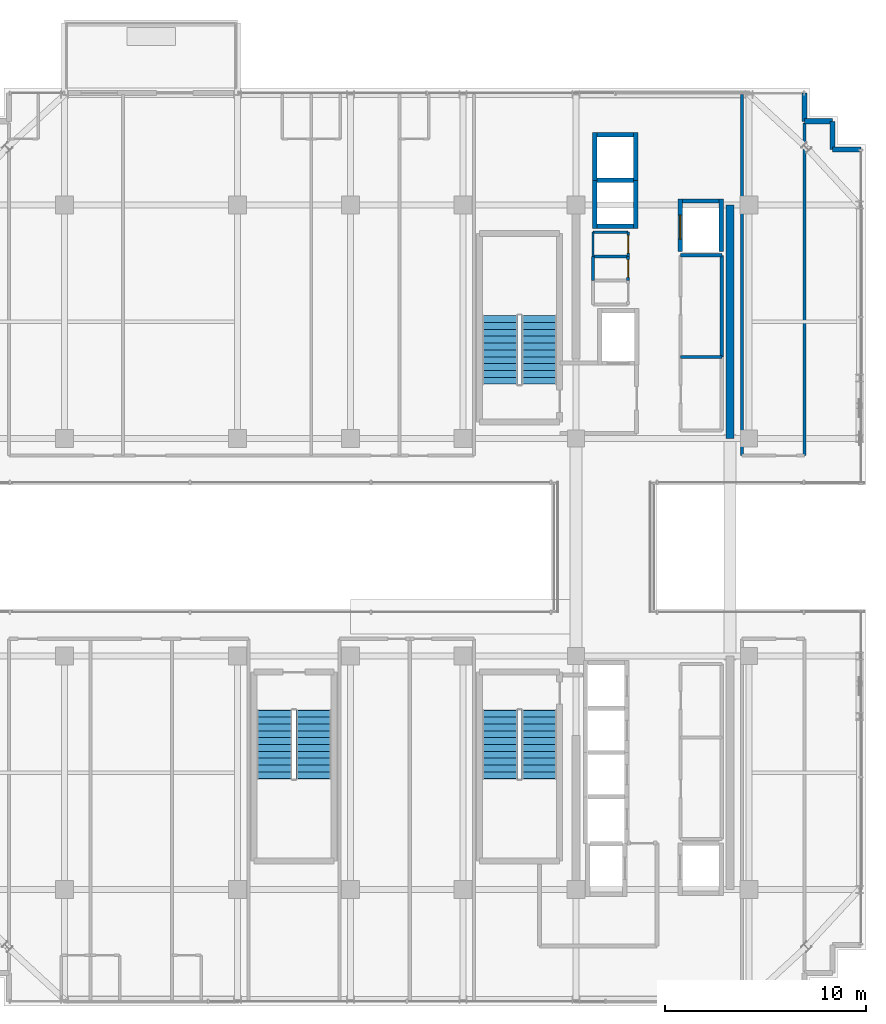
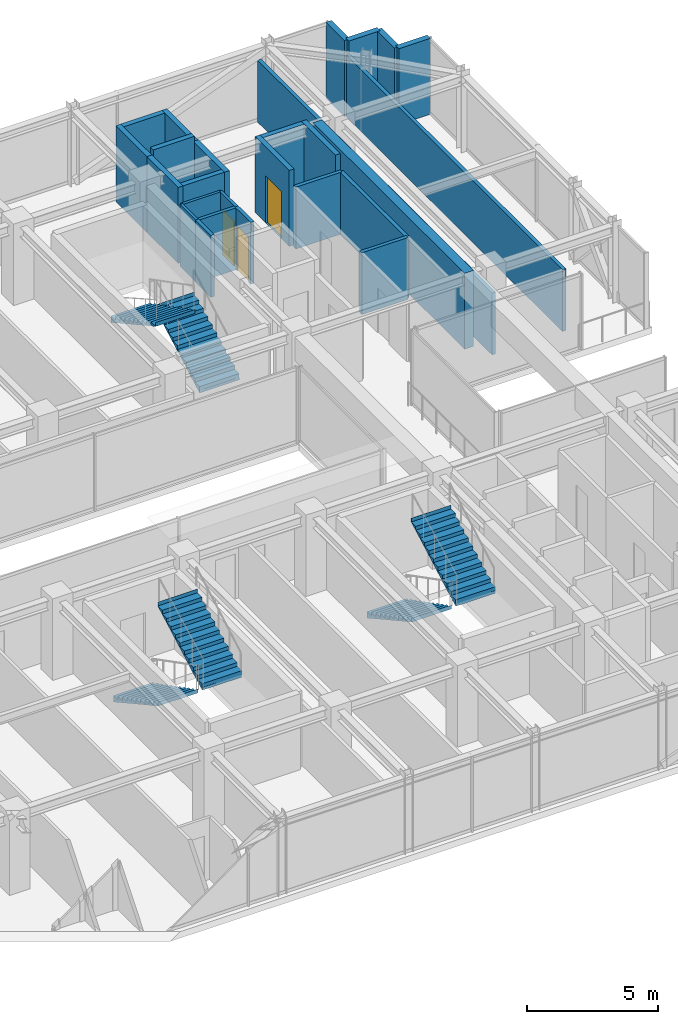
# One storey, part 37 of 41: 26 walls, 6 stair flights, 3 doors, 3 openings, 3 elements without a shape of their own.
"""IFC4 building model written with IfcOpenShell, lengths in metres."""

from ifc_helpers import new_model, si_unit, direction, frame, frame_2d, origin, place, context, subcontext, project, spatial, polyline, rectangle, outline, extrude, source, transform, mapped, material, layer, layer_set, type_object, element, fill, aggregate, save


model = new_model("IFC4")

# Units and contexts
model_context = context("Model", 3, precision=1e-05, world=origin(), true_north=direction((0.0, 1.0)))
body_context = subcontext(model_context, "Body", "Model", "MODEL_VIEW")
ifc_project = project(units=[si_unit("LENGTHUNIT", "METRE"), si_unit("AREAUNIT", "SQUARE_METRE"), si_unit("VOLUMEUNIT", "CUBIC_METRE"), si_unit("PLANEANGLEUNIT", "RADIAN"), si_unit("MASSUNIT", "GRAM", prefix="KILO")], contexts=[model_context])

# Site, building, storey
site_placement = place(None, origin())
site = spatial("IfcSite", under=ifc_project, at=site_placement, CompositionType="ELEMENT")
building_placement = place(site_placement, origin())
building = spatial("IfcBuilding", under=site, at=building_placement, Name="Nahalor Promenade Grand Hotel", CompositionType="ELEMENT")
storey_placement = place(building_placement, frame((0.0, 0.0, 304.199951171875)))
storey = spatial("IfcBuildingStorey", under=building, at=storey_placement, Name="L78", CompositionType="ELEMENT", Elevation=304.199951171875)

# Walls
ifc_material_1 = material(Name="Concrete B-50 (C40/50)", Category="concrete")
ifc_layer_1 = layer(ifc_material_1, 0.39990234375)
ifc_layer_set_1 = layer_set([ifc_layer_1], Name="Concrete B-50 (C40/50)")
wall_type_1 = type_object("IfcWallType", Name="Wall-CoreShear-400", PredefinedType="SHEAR", material=ifc_layer_set_1)
shared_shape_1 = source(origin(), body_context, "Body", "SweptSolid", [
    extrude(rectangle(XDim=11.60009765625, YDim=0.39990234375, at=frame_2d((5.800048828125, 0.0))), origin(), (0.0, 0.0, 1.0), 3.550048828125),
])
wall_1_placement = place(storey_placement, frame((16.050048828125, 5.39990234375, 0.0), z_axis=(0.0, 0.0, 1.0), x_axis=(0.0, 1.0, 0.0)))
element("IfcWall", 1, at=wall_1_placement, inside=storey, type_object=wall_type_1, Name="CWALL-L78-NE", PredefinedType="SHEAR", context=body_context, shape_type="MappedRepresentation", body=[
    mapped(shared_shape_1, transform((0.0, 0.0, 0.0), scale=1.0)),
])
ifc_layer_2 = layer(ifc_material_1, 0.219970703125)
ifc_layer_set_2 = layer_set([ifc_layer_2], Name="Concrete B-50 (C40/50)")
wall_type_2 = type_object("IfcWallType", Name="Wall-LiftShaft-220", PredefinedType="SHEAR", material=ifc_layer_set_2)
shared_shape_2 = source(origin(), body_context, "Body", "SweptSolid", [
    extrude(rectangle(XDim=1.820068359375, YDim=0.219970703125, at=frame_2d((0.91015625, 0.0))), origin(), (0.0, 0.0, 1.0), 3.550048828125),
])
for number, where, z_axis, x_axis, name in (
    (2, (9.43994140625, 15.949951171875, 0.0), (0.0, 0.0, 1.0), (1.0, 0.0, 0.0), "L78 Lift OB1 Hoistway Wall S"),
    (3, (9.43994140625, 20.5, 0.0), (0.0, 0.0, 1.0), (1.0, 0.0, 0.0), "L78 Lift OB2 Hoistway Wall N"),
    (4, (13.68994140625, 17.199951171875, 0.0), (0.0, 0.0, 1.0), (1.0, 0.0, 0.0), "L78 Lift SV1 Hoistway Wall N"),
):
    element("IfcWall", number, at=place(storey_placement, frame(where, z_axis=z_axis, x_axis=x_axis)), inside=storey, type_object=wall_type_2, Name=name, PredefinedType="SHEAR", context=body_context, shape_type="MappedRepresentation", body=[
        mapped(shared_shape_2, transform((0.0, 0.0, 0.0), scale=1.0)),
    ])
shared_shape_3 = source(origin(), body_context, "Body", "SweptSolid", [
    extrude(rectangle(XDim=1.820068359375, YDim=0.219970703125, at=frame_2d((0.91015625, 0.0))), origin(), (0.0, 0.0, 1.0), 3.85009765625),
])
wall_2_placement = place(storey_placement, frame((9.43994140625, 18.22509765625, 0.0), z_axis=(0.0, 0.0, 1.0), x_axis=(1.0, 0.0, 0.0)))
element("IfcWall", 5, at=wall_2_placement, inside=storey, type_object=wall_type_2, Name="L78 Lift OB1 Hoistway Wall N", PredefinedType="SHEAR", context=body_context, shape_type="MappedRepresentation", body=[
    mapped(shared_shape_3, transform((0.0, 0.0, 0.0), scale=1.0)),
])
shared_shape_4 = source(origin(), body_context, "Body", "SweptSolid", [
    extrude(rectangle(XDim=2.385009765625, YDim=0.219970703125, at=frame_2d((1.1923828125, 0.0))), origin(), (0.0, 0.0, 1.0), 3.550048828125),
])
for number, where, z_axis, x_axis, name in (
    (6, (9.330078125, 15.840087890625, 0.0), (0.0, 0.0, 1.0), (0.0, 1.0, 0.0), "L78 Lift OB1 Hoistway Wall W"),
    (7, (11.3701171875, 15.840087890625, 0.0), (0.0, 0.0, 1.0), (0.0, 1.0, 0.0), "L78 Lift OB1 Hoistway Wall E"),
    (8, (9.330078125, 18.22509765625, 0.0), (0.0, 0.0, 1.0), (0.0, 1.0, 0.0), "L78 Lift OB2 Hoistway Wall W"),
    (9, (11.3701171875, 18.22509765625, 0.0), (0.0, 0.0, 1.0), (0.0, 1.0, 0.0), "L78 Lift OB2 Hoistway Wall E"),
):
    element("IfcWall", number, at=place(storey_placement, frame(where, z_axis=z_axis, x_axis=x_axis)), inside=storey, type_object=wall_type_2, Name=name, PredefinedType="SHEAR", context=body_context, shape_type="MappedRepresentation", body=[
        mapped(shared_shape_4, transform((0.0, 0.0, 0.0), scale=1.0)),
    ])

# Wall, opening, door
shared_shape_5 = source(origin(), body_context, "Body", "SweptSolid", [
    extrude(rectangle(XDim=2.610107421875, YDim=0.219970703125, at=frame_2d((1.30517578125, 0.0))), origin(), (0.0, 0.0, 1.0), 3.550048828125),
])
wall_3_placement = place(storey_placement, frame((13.580078125, 14.699951171875, 0.0), z_axis=(0.0, 0.0, 1.0), x_axis=(0.0, 1.0, 0.0)))
wall_3 = element("IfcWall", 10, at=wall_3_placement, inside=storey, type_object=wall_type_2, Name="L78 Lift SV1 Hoistway Wall W", PredefinedType="SHEAR", context=body_context, shape_type="MappedRepresentation", body=[
    mapped(shared_shape_5, transform((0.0, 0.0, 0.0), scale=1.0)),
])
opening_1_placement = place(wall_3_placement, frame((0.60009765625, 0.0, 0.0)))
opening_1 = element("IfcOpeningElement", 11, at=opening_1_placement, cuts=wall_3, Name="Opening LD-03", PredefinedType="OPENING", context=body_context, shape_type="SweptSolid", body=[
    extrude(rectangle(XDim=1.199951171875, YDim=2.199951171875, at=frame_2d((0.60009765625, 1.10009765625))), frame((0.0, 0.119873046875, 0.0), z_axis=(0.0, -1.0, 0.0), x_axis=(1.0, 0.0, 0.0)), (0.0, 0.0, 1.0), 0.239990234375),
])
ifc_material_2 = material(Name="Steel S355JR", Category="steel")
door_type_1 = type_object("IfcDoorType", Name="Door-LiftService-1200", OperationType="DOUBLE_DOOR_SLIDING", PredefinedType="DOOR", material=ifc_material_2)
shared_shape_6 = source(origin(), body_context, "Body", "SweptSolid", [
    extrude(rectangle(XDim=1.199951171875, YDim=2.199951171875, at=frame_2d((0.60009765625, 1.10009765625))), frame((0.0, 0.02490234375, 0.0), z_axis=(0.0, -1.0, 0.0), x_axis=(1.0, 0.0, 0.0)), (0.0, 0.0, 1.0), 0.050048828125),
])
door_1_placement = place(opening_1_placement, origin())
door_1 = element("IfcDoor", 12, at=door_1_placement, inside=storey, type_object=door_type_1, Name="DR-LIFT-SV1-L78", OperationType="DOUBLE_DOOR_SLIDING", OverallHeight=2.199951171875, OverallWidth=1.199951171875, PredefinedType="DOOR", context=body_context, shape_type="MappedRepresentation", body=[
    mapped(shared_shape_6, transform((0.0, 0.0, 0.0), scale=1.0)),
])
fill(opening_1, door_1)

# Walls
wall_4_placement = place(storey_placement, frame((15.6201171875, 14.699951171875, 0.0), z_axis=(0.0, 0.0, 1.0), x_axis=(0.0, 1.0, 0.0)))
element("IfcWall", 13, at=wall_4_placement, inside=storey, type_object=wall_type_2, Name="L78 Lift SV1 Hoistway Wall E", PredefinedType="SHEAR", context=body_context, shape_type="MappedRepresentation", body=[
    mapped(shared_shape_5, transform((0.0, 0.0, 0.0), scale=1.0)),
])
ifc_material_3 = material(Name="Concrete B-40 (C32/40)", Category="concrete")
ifc_layer_3 = layer(ifc_material_3, 0.25)
ifc_layer_set_3 = layer_set([ifc_layer_3], Name="Concrete B-40 (C32/40)")
wall_type_3 = type_object("IfcWallType", Name="Wall-BronzePier-250", PredefinedType="STANDARD", material=ifc_layer_set_3)
shared_shape_7 = source(origin(), body_context, "Body", "SweptSolid", [
    extrude(rectangle(XDim=1.400146484375, YDim=0.25, at=frame_2d((0.7001953125, 0.0))), origin(), (0.0, 0.0, 1.0), 3.550048828125),
])
for number, where, z_axis, x_axis, name in (
    (14, (21.159912109375, 19.760009765625, 0.0), (0.0, 0.0, 1.0), (1.0, 0.0, 0.0), "W-L78-SR-05"),
    (15, (19.760009765625, 21.159912109375, 0.0), (0.0, 0.0, 1.0), (0.0, 1.0, 0.0), "W-L78-SR-08"),
):
    element("IfcWall", number, at=place(storey_placement, frame(where, z_axis=z_axis, x_axis=x_axis)), inside=storey, type_object=wall_type_3, Name=name, PredefinedType="STANDARD", context=body_context, shape_type="MappedRepresentation", body=[
        mapped(shared_shape_7, transform((0.0, 0.0, 0.0), scale=1.0)),
    ])
shared_shape_8 = source(origin(), body_context, "Body", "SweptSolid", [
    extrude(rectangle(XDim=1.39990234375, YDim=0.25, at=frame_2d((0.699951171875, 0.0))), origin(), (0.0, 0.0, 1.0), 3.550048828125),
])
for number, where, z_axis, x_axis, name in (
    (16, (21.159912109375, 19.760009765625, 0.0), (0.0, 0.0, 1.0), (0.0, 1.0, 0.0), "W-L78-SR-06"),
    (17, (19.760009765625, 21.159912109375, 0.0), (0.0, 0.0, 1.0), (1.0, 0.0, 0.0), "W-L78-SR-07"),
):
    element("IfcWall", number, at=place(storey_placement, frame(where, z_axis=z_axis, x_axis=x_axis)), inside=storey, type_object=wall_type_3, Name=name, PredefinedType="STANDARD", context=body_context, shape_type="MappedRepresentation", body=[
        mapped(shared_shape_8, transform((0.0, 0.0, 0.0), scale=1.0)),
    ])
ifc_material_4 = material(Name="Acoustic Mineral Gypsum", Category="gypsum")
ifc_layer_4 = layer(ifc_material_4, 0.14990234375)
ifc_layer_set_4 = layer_set([ifc_layer_4], Name="Acoustic Mineral Gypsum")
wall_type_4 = type_object("IfcWallType", Name="Wall-PartService-150", PredefinedType="PARTITIONING", material=ifc_layer_set_4)
shared_shape_9 = source(origin(), body_context, "Body", "SweptSolid", [
    extrude(rectangle(XDim=1.75, YDim=0.14990234375, at=frame_2d((0.875, 0.0))), origin(), (0.0, 0.0, 1.0), 2.89013671875),
])
wall_5_placement = place(storey_placement, frame((9.25, 14.449951171875, 0.0), z_axis=(0.0, 0.0, 1.0), x_axis=(1.0, 0.0, 0.0)))
element("IfcWall", 18, at=wall_5_placement, inside=storey, type_object=wall_type_4, Name="W-L78-CK3B-N", PredefinedType="PARTITIONING", context=body_context, shape_type="MappedRepresentation", body=[
    mapped(shared_shape_9, transform((0.0, 0.0, 0.0), scale=1.0)),
])
shared_shape_10 = source(origin(), body_context, "Body", "SweptSolid", [
    extrude(rectangle(XDim=1.199951171875, YDim=0.14990234375, at=frame_2d((0.60009765625, 0.0))), origin(), (0.0, 0.0, 1.0), 2.89013671875),
])
wall_6_placement = place(storey_placement, frame((9.25, 13.25, 0.0), z_axis=(0.0, 0.0, 1.0), x_axis=(0.0, 1.0, 0.0)))
element("IfcWall", 19, at=wall_6_placement, inside=storey, type_object=wall_type_4, Name="W-L78-CK3B-W", PredefinedType="PARTITIONING", context=body_context, shape_type="MappedRepresentation", body=[
    mapped(shared_shape_10, transform((0.0, 0.0, 0.0), scale=1.0)),
])

# Wall, opening, door
wall_7_placement = place(storey_placement, frame((11.0, 13.25, 0.0), z_axis=(0.0, 0.0, 1.0), x_axis=(0.0, 1.0, 0.0)))
wall_7 = element("IfcWall", 20, at=wall_7_placement, inside=storey, type_object=wall_type_4, Name="W-L78-CK3B-E", PredefinedType="PARTITIONING", context=body_context, shape_type="MappedRepresentation", body=[
    mapped(shared_shape_10, transform((0.0, 0.0, 0.0), scale=1.0)),
])
opening_2_placement = place(wall_7_placement, frame((0.159912109375, 0.0, 0.0)))
opening_2 = element("IfcOpeningElement", 21, at=opening_2_placement, cuts=wall_7, Name="Opening D-03", PredefinedType="OPENING", context=body_context, shape_type="SweptSolid", body=[
    extrude(rectangle(XDim=0.8798828125, YDim=2.10009765625, at=frame_2d((0.43994140625, 1.050048828125))), frame((0.0, 0.0849609375, 0.0), z_axis=(0.0, -1.0, 0.0), x_axis=(1.0, 0.0, 0.0)), (0.0, 0.0, 1.0), 0.169921875),
])
ifc_material_5 = material(Name="Fire-Rated Timber Composite", Category="wood")
door_type_2 = type_object("IfcDoorType", Name="Door-BathSwing-880", OperationType="NOTDEFINED", PredefinedType="DOOR", material=ifc_material_5)
shared_shape_11 = source(origin(), body_context, "Body", "SweptSolid", [
    extrude(rectangle(XDim=0.8798828125, YDim=2.10009765625, at=frame_2d((0.43994140625, 1.050048828125))), frame((0.0, 0.02490234375, 0.0), z_axis=(0.0, -1.0, 0.0), x_axis=(1.0, 0.0, 0.0)), (0.0, 0.0, 1.0), 0.050048828125),
])
door_2_placement = place(opening_2_placement, origin())
door_2 = element("IfcDoor", 22, at=door_2_placement, inside=storey, type_object=door_type_2, Name="DR-L78-CK3B", OperationType="SINGLE_SWING_RIGHT", OverallHeight=2.10009765625, OverallWidth=0.8798828125, PredefinedType="DOOR", context=body_context, shape_type="MappedRepresentation", body=[
    mapped(shared_shape_11, transform((0.0, 0.0, 0.0), scale=1.0)),
])
fill(opening_2, door_2)

# Walls
ifc_layer_5 = layer(ifc_material_4, 0.1201171875)
ifc_layer_set_5 = layer_set([ifc_layer_5], Name="Acoustic Mineral Gypsum")
wall_type_5 = type_object("IfcWallType", Name="Wall-PartBath-120", PredefinedType="PARTITIONING", material=ifc_layer_set_5)
shared_shape_12 = source(origin(), body_context, "Body", "SweptSolid", [
    extrude(rectangle(XDim=1.75, YDim=0.1201171875, at=frame_2d((0.875, 0.0))), origin(), (0.0, 0.0, 1.0), 2.89013671875),
])
wall_8_placement = place(storey_placement, frame((9.25, 15.64990234375, 0.0), z_axis=(0.0, 0.0, 1.0), x_axis=(1.0, 0.0, 0.0)))
element("IfcWall", 23, at=wall_8_placement, inside=storey, type_object=wall_type_5, Name="W-L78-CK3C-N", PredefinedType="PARTITIONING", context=body_context, shape_type="MappedRepresentation", body=[
    mapped(shared_shape_12, transform((0.0, 0.0, 0.0), scale=1.0)),
])
shared_shape_13 = source(origin(), body_context, "Body", "SweptSolid", [
    extrude(rectangle(XDim=1.199951171875, YDim=0.1201171875, at=frame_2d((0.60009765625, 0.0))), origin(), (0.0, 0.0, 1.0), 2.89013671875),
])
wall_9_placement = place(storey_placement, frame((9.25, 14.449951171875, 0.0), z_axis=(0.0, 0.0, 1.0), x_axis=(0.0, 1.0, 0.0)))
element("IfcWall", 24, at=wall_9_placement, inside=storey, type_object=wall_type_5, Name="W-L78-CK3C-W", PredefinedType="PARTITIONING", context=body_context, shape_type="MappedRepresentation", body=[
    mapped(shared_shape_13, transform((0.0, 0.0, 0.0), scale=1.0)),
])

# Wall, opening, door
wall_10_placement = place(storey_placement, frame((11.0, 14.449951171875, 0.0), z_axis=(0.0, 0.0, 1.0), x_axis=(0.0, 1.0, 0.0)))
wall_10 = element("IfcWall", 25, at=wall_10_placement, inside=storey, type_object=wall_type_5, Name="W-L78-CK3C-E", PredefinedType="PARTITIONING", context=body_context, shape_type="MappedRepresentation", body=[
    mapped(shared_shape_13, transform((0.0, 0.0, 0.0), scale=1.0)),
])
opening_3_placement = place(wall_10_placement, frame((0.159912109375, 0.0, 0.0)))
opening_3 = element("IfcOpeningElement", 26, at=opening_3_placement, cuts=wall_10, Name="Opening D-03", PredefinedType="OPENING", context=body_context, shape_type="SweptSolid", body=[
    extrude(rectangle(XDim=0.8798828125, YDim=2.10009765625, at=frame_2d((0.43994140625, 1.050048828125))), frame((0.0, 0.070068359375, 0.0), z_axis=(0.0, -1.0, 0.0), x_axis=(1.0, 0.0, 0.0)), (0.0, 0.0, 1.0), 0.14013671875),
])
door_3_placement = place(opening_3_placement, origin())
door_3 = element("IfcDoor", 27, at=door_3_placement, inside=storey, type_object=door_type_2, Name="DR-L78-CK3C", OperationType="SINGLE_SWING_LEFT", OverallHeight=2.10009765625, OverallWidth=0.8798828125, PredefinedType="DOOR", context=body_context, shape_type="MappedRepresentation", body=[
    mapped(shared_shape_11, transform((0.0, 0.0, 0.0), scale=1.0)),
])
fill(opening_3, door_3)

# Walls
ifc_layer_6 = layer(ifc_material_4, 0.159912109375)
ifc_layer_set_6 = layer_set([ifc_layer_6], Name="Acoustic Mineral Gypsum")
wall_type_6 = type_object("IfcWallType", Name="Wall-PartCorridor-160", PredefinedType="PARTITIONING", material=ifc_layer_set_6)
shared_shape_14 = source(origin(), body_context, "Body", "SweptSolid", [
    extrude(rectangle(XDim=2.0498046875, YDim=0.159912109375, at=frame_2d((1.02490234375, 0.0))), origin(), (0.0, 0.0, 1.0), 2.89013671875),
])
for number, where, z_axis, x_axis, name in (
    (28, (13.60009765625, 9.449951171875, 0.0), (0.0, 0.0, 1.0), (1.0, 0.0, 0.0), "W-L78-FRB1A-N"),
    (29, (13.60009765625, 14.5, 0.0), (0.0, 0.0, 1.0), (1.0, 0.0, 0.0), "W-L78-FRB1B-N"),
):
    element("IfcWall", number, at=place(storey_placement, frame(where, z_axis=z_axis, x_axis=x_axis)), inside=storey, type_object=wall_type_6, Name=name, PredefinedType="PARTITIONING", context=body_context, shape_type="MappedRepresentation", body=[
        mapped(shared_shape_14, transform((0.0, 0.0, 0.0), scale=1.0)),
    ])
shared_shape_15 = source(origin(), body_context, "Body", "SweptSolid", [
    extrude(rectangle(XDim=5.050048828125, YDim=0.159912109375, at=frame_2d((2.52490234375, 0.0))), origin(), (0.0, 0.0, 1.0), 2.89013671875),
])
wall_11_placement = place(storey_placement, frame((15.64990234375, 9.449951171875, 0.0), z_axis=(0.0, 0.0, 1.0), x_axis=(0.0, 1.0, 0.0)))
element("IfcWall", 30, at=wall_11_placement, inside=storey, type_object=wall_type_6, Name="W-L78-FRB1B-E", PredefinedType="PARTITIONING", context=body_context, shape_type="MappedRepresentation", body=[
    mapped(shared_shape_15, transform((0.0, 0.0, 0.0), scale=1.0)),
])
shared_shape_16 = source(origin(), body_context, "Body", "SweptSolid", [
    extrude(rectangle(XDim=17.949951171875, YDim=0.159912109375, at=frame_2d((8.97509765625, 0.0))), origin(), (0.0, 0.0, 1.0), 2.89013671875),
])
wall_12_placement = place(storey_placement, frame((16.64990234375, 4.550048828125, 0.0), z_axis=(0.0, 0.0, 1.0), x_axis=(0.0, 1.0, 0.0)))
element("IfcWall", 31, at=wall_12_placement, inside=storey, type_object=wall_type_6, Name="W-L78-ENE-W", PredefinedType="PARTITIONING", context=body_context, shape_type="MappedRepresentation", body=[
    mapped(shared_shape_16, transform((0.0, 0.0, 0.0), scale=1.0)),
])
shared_shape_17 = source(origin(), body_context, "Body", "SweptSolid", [
    extrude(rectangle(XDim=16.530029296875, YDim=0.159912109375, at=frame_2d((8.26513671875, 0.0))), origin(), (0.0, 0.0, 1.0), 2.89013671875),
])
wall_13_placement = place(storey_placement, frame((19.760009765625, 4.550048828125, 0.0), z_axis=(0.0, 0.0, 1.0), x_axis=(0.0, 1.0, 0.0)))
element("IfcWall", 32, at=wall_13_placement, inside=storey, type_object=wall_type_6, Name="W-L78-ENE-E", PredefinedType="PARTITIONING", context=body_context, shape_type="MappedRepresentation", body=[
    mapped(shared_shape_17, transform((0.0, 0.0, 0.0), scale=1.0)),
])

# Stair, stair flights
stair_type_1 = type_object("IfcStairType", Name="Stair-ST1", PredefinedType="HALF_TURN_STAIR", material=ifc_material_1)
stair_1_placement = place(storey_placement, origin())
stair_1 = element("IfcStair", 33, at=stair_1_placement, inside=storey, type_object=stair_type_1, Name="L78 ST1", PredefinedType="HALF_TURN_STAIR")
ifc_layer_7 = layer(ifc_material_1, 0.179931640625)
ifc_layer_set_7 = layer_set([ifc_layer_7], Name="Concrete B-50 (C40/50)")
stair_flight_type_1 = type_object("IfcStairFlightType", Name="Flight-ST1", PredefinedType="STRAIGHT", material=ifc_layer_set_7)
shared_shape_18 = source(origin(), body_context, "Body", "SweptSolid", [
    extrude(outline(polyline([(-0.00390625, -0.1201171875), (-0.00390625, 0.0), (0.0, 0.0), (0.0, 0.175048828125), (0.340087890625, 0.175048828125), (0.340087890625, 0.35009765625), (0.679931640625, 0.35009765625), (0.679931640625, 0.52490234375), (1.02001953125, 0.52490234375), (1.02001953125, 0.699951171875), (1.360107421875, 0.699951171875), (1.360107421875, 0.875), (1.699951171875, 0.875), (1.699951171875, 1.050048828125), (2.0400390625, 1.050048828125), (2.0400390625, 1.22509765625), (2.3798828125, 1.22509765625), (2.3798828125, 1.39990234375), (2.719970703125, 1.39990234375), (2.719970703125, 1.574951171875), (3.06005859375, 1.574951171875), (3.06005859375, 1.75), (3.39990234375, 1.75), (3.39990234375, 1.925048828125), (3.404052734375, 1.925048828125), (3.404052734375, 1.7451171875), (0.02001953125, -0.1201171875), (-0.00390625, -0.1201171875)])), frame((0.0, 0.875, 0.0), z_axis=(0.0, -1.0, 0.0), x_axis=(1.0, 0.0, 0.0)), (0.0, 0.0, 1.0), 1.75),
])
stair_flight_1_placement = place(storey_placement, frame((6.574951171875, 8.10009765625, 0.0), z_axis=(0.0, 0.0, 1.0), x_axis=(0.0, 1.0, 0.0)))
stair_flight_1 = element("IfcStairFlight", 34, at=stair_flight_1_placement, type_object=stair_flight_type_1, Name="ST1 flight 1", NumberOfRisers=11, NumberOfTreads=10, PredefinedType="STRAIGHT", RiserHeight=0.175, TreadLength=0.34, context=body_context, shape_type="MappedRepresentation", body=[
    mapped(shared_shape_18, transform((0.0, 0.0, 0.0), scale=1.0)),
])
stair_flight_2_placement = place(storey_placement, frame((4.625, 11.5, 1.925048828125), z_axis=(0.0, 0.0, 1.0), x_axis=(0.0, -1.0, 0.0)))
stair_flight_2 = element("IfcStairFlight", 35, at=stair_flight_2_placement, type_object=stair_flight_type_1, Name="ST1 flight 2", NumberOfRisers=11, NumberOfTreads=10, PredefinedType="STRAIGHT", RiserHeight=0.175, TreadLength=0.34, context=body_context, shape_type="MappedRepresentation", body=[
    mapped(shared_shape_18, transform((0.0, 0.0, 0.0), scale=1.0)),
])
aggregate(stair_1, [stair_flight_1, stair_flight_2])

stair_type_2 = type_object("IfcStairType", Name="Stair-ST2", PredefinedType="HALF_TURN_STAIR", material=ifc_material_1)
stair_2_placement = place(storey_placement, origin())
stair_2 = element("IfcStair", 36, at=stair_2_placement, inside=storey, type_object=stair_type_2, Name="L78 ST2", PredefinedType="HALF_TURN_STAIR")
ifc_layer_8 = layer(ifc_material_1, 0.18994140625)
ifc_layer_set_8 = layer_set([ifc_layer_8], Name="Concrete B-50 (C40/50)")
stair_flight_type_2 = type_object("IfcStairFlightType", Name="Flight-ST2", PredefinedType="STRAIGHT", material=ifc_layer_set_8)
shared_shape_19 = source(origin(), body_context, "Body", "SweptSolid", [
    extrude(outline(polyline([(-0.00390625, -0.1201171875), (-0.00390625, 0.0), (0.0, 0.0), (0.0, 0.175048828125), (0.340087890625, 0.175048828125), (0.340087890625, 0.35009765625), (0.679931640625, 0.35009765625), (0.679931640625, 0.52490234375), (1.02001953125, 0.52490234375), (1.02001953125, 0.699951171875), (1.360107421875, 0.699951171875), (1.360107421875, 0.875), (1.699951171875, 0.875), (1.699951171875, 1.050048828125), (2.0400390625, 1.050048828125), (2.0400390625, 1.22509765625), (2.3798828125, 1.22509765625), (2.3798828125, 1.39990234375), (2.719970703125, 1.39990234375), (2.719970703125, 1.574951171875), (3.06005859375, 1.574951171875), (3.06005859375, 1.75), (3.39990234375, 1.75), (3.39990234375, 1.925048828125), (3.404052734375, 1.925048828125), (3.404052734375, 1.7451171875), (0.02001953125, -0.1201171875), (-0.00390625, -0.1201171875)])), frame((0.0, 0.875, 0.0), z_axis=(0.0, -1.0, 0.0), x_axis=(1.0, 0.0, 0.0)), (0.0, 0.0, 1.0), 1.75),
])
stair_flight_3_placement = place(storey_placement, frame((4.625, -8.10009765625, 0.0), z_axis=(0.0, 0.0, 1.0), x_axis=(0.0, -1.0, 0.0)))
stair_flight_3 = element("IfcStairFlight", 37, at=stair_flight_3_placement, type_object=stair_flight_type_2, Name="ST2 flight 1", NumberOfRisers=11, NumberOfTreads=10, PredefinedType="STRAIGHT", RiserHeight=0.175, TreadLength=0.34, context=body_context, shape_type="MappedRepresentation", body=[
    mapped(shared_shape_19, transform((0.0, 0.0, 0.0), scale=1.0)),
])
stair_flight_4_placement = place(storey_placement, frame((6.574951171875, -11.5, 1.925048828125), z_axis=(0.0, 0.0, 1.0), x_axis=(0.0, 1.0, 0.0)))
stair_flight_4 = element("IfcStairFlight", 38, at=stair_flight_4_placement, type_object=stair_flight_type_2, Name="ST2 flight 2", NumberOfRisers=11, NumberOfTreads=10, PredefinedType="STRAIGHT", RiserHeight=0.175, TreadLength=0.34, context=body_context, shape_type="MappedRepresentation", body=[
    mapped(shared_shape_19, transform((0.0, 0.0, 0.0), scale=1.0)),
])
aggregate(stair_2, [stair_flight_3, stair_flight_4])

stair_type_3 = type_object("IfcStairType", Name="Stair-ST3", PredefinedType="HALF_TURN_STAIR", material=ifc_material_1)
stair_3_placement = place(storey_placement, origin())
stair_3 = element("IfcStair", 39, at=stair_3_placement, inside=storey, type_object=stair_type_3, Name="L78 ST3", PredefinedType="HALF_TURN_STAIR")
ifc_layer_9 = layer(ifc_material_1, 0.199951171875)
ifc_layer_set_9 = layer_set([ifc_layer_9], Name="Concrete B-50 (C40/50)")
stair_flight_type_3 = type_object("IfcStairFlightType", Name="Flight-ST3", PredefinedType="STRAIGHT", material=ifc_layer_set_9)
shared_shape_20 = source(origin(), body_context, "Body", "SweptSolid", [
    extrude(outline(polyline([(-0.00390625, -0.1201171875), (-0.00390625, 0.0), (0.0, 0.0), (0.0, 0.175048828125), (0.340087890625, 0.175048828125), (0.340087890625, 0.35009765625), (0.679931640625, 0.35009765625), (0.679931640625, 0.52490234375), (1.02001953125, 0.52490234375), (1.02001953125, 0.699951171875), (1.360107421875, 0.699951171875), (1.360107421875, 0.875), (1.699951171875, 0.875), (1.699951171875, 1.050048828125), (2.0400390625, 1.050048828125), (2.0400390625, 1.22509765625), (2.3798828125, 1.22509765625), (2.3798828125, 1.39990234375), (2.719970703125, 1.39990234375), (2.719970703125, 1.574951171875), (3.06005859375, 1.574951171875), (3.06005859375, 1.75), (3.39990234375, 1.75), (3.39990234375, 1.925048828125), (3.404052734375, 1.925048828125), (3.404052734375, 1.7451171875), (0.02001953125, -0.1201171875), (-0.00390625, -0.1201171875)])), frame((0.0, 0.875, 0.0), z_axis=(0.0, -1.0, 0.0), x_axis=(1.0, 0.0, 0.0)), (0.0, 0.0, 1.0), 1.75),
])
stair_flight_5_placement = place(storey_placement, frame((-6.574951171875, -8.10009765625, 0.0), z_axis=(0.0, 0.0, 1.0), x_axis=(0.0, -1.0, 0.0)))
stair_flight_5 = element("IfcStairFlight", 40, at=stair_flight_5_placement, type_object=stair_flight_type_3, Name="ST3 flight 1", NumberOfRisers=11, NumberOfTreads=10, PredefinedType="STRAIGHT", RiserHeight=0.175, TreadLength=0.34, context=body_context, shape_type="MappedRepresentation", body=[
    mapped(shared_shape_20, transform((0.0, 0.0, 0.0), scale=1.0)),
])
stair_flight_6_placement = place(storey_placement, frame((-4.625, -11.5, 1.925048828125), z_axis=(0.0, 0.0, 1.0), x_axis=(0.0, 1.0, 0.0)))
stair_flight_6 = element("IfcStairFlight", 41, at=stair_flight_6_placement, type_object=stair_flight_type_3, Name="ST3 flight 2", NumberOfRisers=11, NumberOfTreads=10, PredefinedType="STRAIGHT", RiserHeight=0.175, TreadLength=0.34, context=body_context, shape_type="MappedRepresentation", body=[
    mapped(shared_shape_20, transform((0.0, 0.0, 0.0), scale=1.0)),
])
aggregate(stair_3, [stair_flight_5, stair_flight_6])

save(model, "model.ifc")
